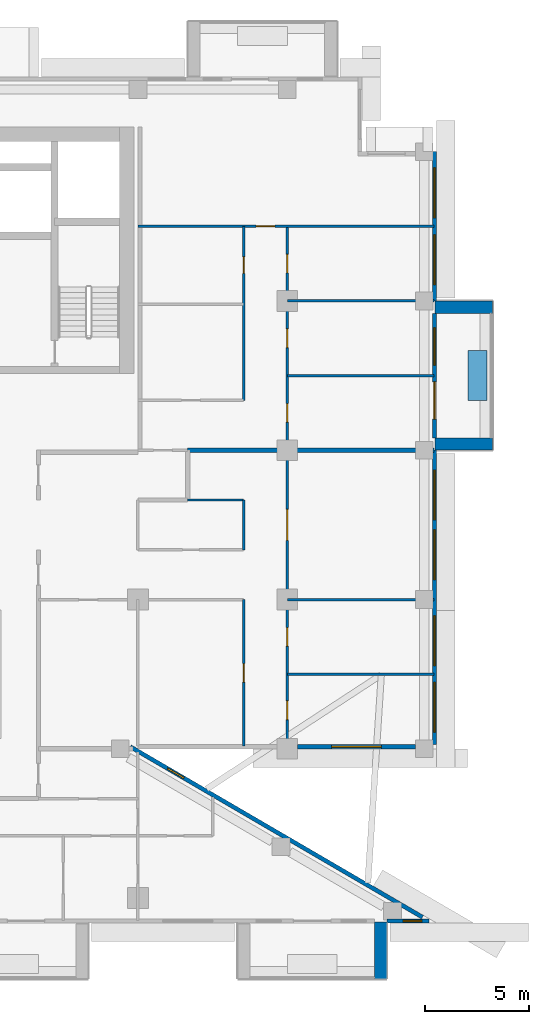
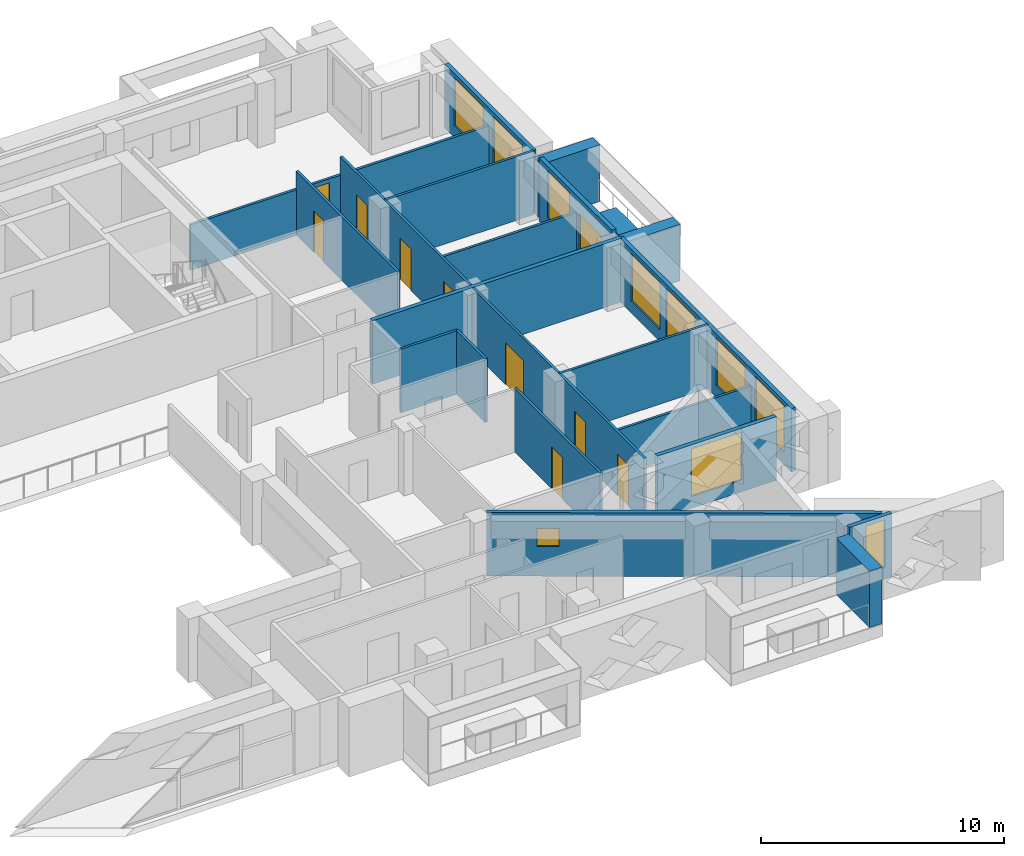
# One storey, part 12 of 20: 21 walls, 10 doors, 10 windows, 20 openings.
"""IFC4 building model written with IfcOpenShell, lengths in metres."""

from ifc_helpers import new_model, si_unit, direction, frame, frame_2d, origin, place, context, subcontext, project, spatial, rectangle, extrude, material, layer, layer_set, type_object, element, fill, save


model = new_model("IFC4")

# Units and contexts
model_context = context("Model", 3, precision=1e-05, world=origin(), true_north=direction((0.0, 1.0)))
body_context = subcontext(model_context, "Body", "Model", "MODEL_VIEW")
ifc_project = project(units=[si_unit("LENGTHUNIT", "METRE"), si_unit("AREAUNIT", "SQUARE_METRE"), si_unit("VOLUMEUNIT", "CUBIC_METRE"), si_unit("PLANEANGLEUNIT", "RADIAN"), si_unit("MASSUNIT", "GRAM", prefix="KILO")], contexts=[model_context])

# Site, building, storey
site_placement = place(None, origin())
site = spatial("IfcSite", under=ifc_project, at=site_placement, CompositionType="ELEMENT")
building_placement = place(site_placement, origin())
building = spatial("IfcBuilding", under=site, at=building_placement, Name="Saffron Iwan Residences", CompositionType="ELEMENT")
storey_placement = place(building_placement, frame((0.0, 0.0, 157.0)))
storey = spatial("IfcBuildingStorey", under=building, at=storey_placement, Name="L41", CompositionType="ELEMENT", Elevation=157.0)

# Walls
ifc_material_1 = material(Name="Concrete C50/60 white painted", Category="concrete")
ifc_layer_1 = layer(ifc_material_1, 0.60009765625)
ifc_layer_set_1 = layer_set([ifc_layer_1], Name="Concrete C50/60 white painted")
wall_type_1 = type_object("IfcWallType", Name="BALCONY FIN 600", PredefinedType="SOLIDWALL", material=ifc_layer_set_1)
for number, where, z_axis, x_axis, name in (
    (1, (86.324951171875, 62.699951171875, 0.0), (0.0, 0.0, 1.0), (1.0, 0.0, 0.0), "Balcony fin L41 F2-0a"),
    (2, (86.324951171875, 69.300048828125, 0.0), (0.0, 0.0, 1.0), (1.0, 0.0, 0.0), "Balcony fin L41 F2-0b"),
):
    element("IfcWall", number, at=place(storey_placement, frame(where, z_axis=z_axis, x_axis=x_axis)), inside=storey, type_object=wall_type_1, Name=name, PredefinedType="SOLIDWALL", context=body_context, shape_type="SweptSolid", body=[
        extrude(rectangle(XDim=2.775146484375, YDim=0.60009765625, at=frame_2d((1.3876953125, 0.0))), origin(), (0.0, 0.0, 1.0), 2.85009765625),
    ])
wall_1_placement = place(storey_placement, frame((83.699951171875, 39.649169921875, 0.0), z_axis=(0.0, 0.0, 1.0), x_axis=(0.0, -1.0, 0.0)))
element("IfcWall", 3, at=wall_1_placement, inside=storey, type_object=wall_type_1, Name="Balcony fin L41 11-3b", PredefinedType="SOLIDWALL", context=body_context, shape_type="SweptSolid", body=[
    extrude(rectangle(XDim=2.749267578125, YDim=0.60009765625, at=frame_2d((1.37451171875, 0.0))), origin(), (0.0, 0.0, 1.0), 2.85009765625),
])
ifc_material_2 = material(Name="Concrete C35/45 white painted", Category="concrete")
ifc_layer_2 = layer(ifc_material_2, 0.14990234375)
ifc_layer_set_2 = layer_set([ifc_layer_2], Name="Concrete C35/45 white painted")
wall_type_2 = type_object("IfcWallType", Name="BALCONY PLANTER", PredefinedType="SOLIDWALL", material=ifc_layer_set_2)
wall_2_placement = place(storey_placement, frame((88.375, 64.800048828125, 0.0), z_axis=(0.0, 0.0, 1.0), x_axis=(0.0, 1.0, 0.0)))
element("IfcWall", 4, at=wall_2_placement, inside=storey, type_object=wall_type_2, Name="PLANTER L41 F2-0", PredefinedType="SOLIDWALL", context=body_context, shape_type="SweptSolid", body=[
    extrude(rectangle(XDim=2.39990234375, YDim=0.89990234375, at=frame_2d((1.199951171875, 0.0))), origin(), (0.0, 0.0, 1.0), 0.89990234375),
])

# Wall, opening, window
ifc_material_3 = material(Name="Concrete C40/50", Category="concrete")
ifc_layer_3 = layer(ifc_material_3, 0.199951171875)
ifc_layer_set_3 = layer_set([ifc_layer_3], Name="Concrete C40/50")
wall_type_3 = type_object("IfcWallType", Name="EXTERNAL WALL 200", PredefinedType="SOLIDWALL", material=ifc_layer_set_3)
wall_3_placement = place(storey_placement, frame((85.71923828125, 39.88134765625, 0.0), z_axis=(0.0, 0.0, 1.0), x_axis=(-0.86377618652, 0.503875678716, 0.0)))
wall_3 = element("IfcWall", 5, at=wall_3_placement, inside=storey, type_object=wall_type_3, Name="External wall L41 F0.0", PredefinedType="SOLIDWALL", context=body_context, shape_type="SweptSolid", body=[
    extrude(rectangle(XDim=16.31103515625, YDim=0.199951171875, at=frame_2d((8.155517578125, 0.0))), origin(), (0.0, 0.0, 1.0), 3.199951171875),
])
opening_1_placement = place(wall_3_placement, frame((13.32568359375, 0.0, 1.5)))
opening_1 = element("IfcOpeningElement", 6, at=opening_1_placement, cuts=wall_3, Name="Opening W6", PredefinedType="OPENING", context=body_context, shape_type="SweptSolid", body=[
    extrude(rectangle(XDim=0.89990234375, YDim=0.89990234375, at=frame_2d((0.449951171875, 0.449951171875))), frame((0.0, 0.10986328125, 0.0), z_axis=(0.0, -1.0, 0.0), x_axis=(1.0, 0.0, 0.0)), (0.0, 0.0, 1.0), 0.219970703125),
])
ifc_material_4 = material(Name="Clear glass, laminated double glazed", Category="glass")
window_type_1 = type_object("IfcWindowType", Name="WINDOW 900 x 900 BATH", PartitioningType="SINGLE_PANEL", PredefinedType="WINDOW", material=ifc_material_4)
window_1_placement = place(opening_1_placement, origin())
window_1 = element("IfcWindow", 7, at=window_1_placement, inside=storey, type_object=window_type_1, Name="Window L41 F0.0", OverallHeight=0.89990234375, OverallWidth=0.89990234375, PartitioningType="SINGLE_PANEL", PredefinedType="WINDOW", context=body_context, shape_type="SweptSolid", body=[
    extrude(rectangle(XDim=0.89990234375, YDim=0.89990234375, at=frame_2d((0.449951171875, 0.449951171875))), frame((0.0, 0.030029296875, 0.0), z_axis=(0.0, -1.0, 0.0), x_axis=(1.0, 0.0, 0.0)), (0.0, 0.0, 1.0), 0.06005859375),
])
fill(opening_1, window_1)

wall_4_placement = place(storey_placement, frame((79.699951171875, 48.10009765625, 0.0), z_axis=(0.0, 0.0, 1.0), x_axis=(1.0, 0.0, 0.0)))
wall_4 = element("IfcWall", 8, at=wall_4_placement, inside=storey, type_object=wall_type_3, Name="External wall L41 F1.1", PredefinedType="SOLIDWALL", context=body_context, shape_type="SweptSolid", body=[
    extrude(rectangle(XDim=5.675048828125, YDim=0.199951171875, at=frame_2d((2.83740234375, 0.0))), origin(), (0.0, 0.0, 1.0), 3.199951171875),
])
opening_2_placement = place(wall_4_placement, frame((1.637451171875, 0.0, 0.60009765625)))
opening_2 = element("IfcOpeningElement", 9, at=opening_2_placement, cuts=wall_4, Name="Opening W1", PredefinedType="OPENING", context=body_context, shape_type="SweptSolid", body=[
    extrude(rectangle(XDim=2.39990234375, YDim=2.39990234375, at=frame_2d((1.199951171875, 1.199951171875))), frame((0.0, 0.10986328125, 0.0), z_axis=(0.0, -1.0, 0.0), x_axis=(1.0, 0.0, 0.0)), (0.0, 0.0, 1.0), 0.219970703125),
])
window_type_2 = type_object("IfcWindowType", Name="WINDOW 2400 x 2400", PartitioningType="DOUBLE_PANEL_VERTICAL", PredefinedType="WINDOW", material=ifc_material_4)
window_2_placement = place(opening_2_placement, origin())
window_2 = element("IfcWindow", 10, at=window_2_placement, inside=storey, type_object=window_type_2, Name="Window L41 F1.0", OverallHeight=2.39990234375, OverallWidth=2.39990234375, PartitioningType="DOUBLE_PANEL_VERTICAL", PredefinedType="WINDOW", context=body_context, shape_type="SweptSolid", body=[
    extrude(rectangle(XDim=2.39990234375, YDim=2.39990234375, at=frame_2d((1.199951171875, 1.199951171875))), frame((0.0, 0.030029296875, 0.0), z_axis=(0.0, -1.0, 0.0), x_axis=(1.0, 0.0, 0.0)), (0.0, 0.0, 1.0), 0.06005859375),
])
fill(opening_2, window_2)

# Wall, openings, windows
wall_5_placement = place(storey_placement, frame((86.300048828125, 48.199951171875, 0.0), z_axis=(0.0, 0.0, 1.0), x_axis=(0.0, 1.0, 0.0)))
wall_5 = element("IfcWall", 11, at=wall_5_placement, inside=storey, type_object=wall_type_3, Name="External wall L41 F2.0", PredefinedType="SOLIDWALL", context=body_context, shape_type="SweptSolid", body=[
    extrude(rectangle(XDim=14.199951171875, YDim=0.199951171875, at=frame_2d((7.10009765625, 0.0))), origin(), (0.0, 0.0, 1.0), 3.199951171875),
])
opening_3_placement = place(wall_5_placement, frame((0.60009765625, 0.0, 0.60009765625)))
opening_3 = element("IfcOpeningElement", 12, at=opening_3_placement, cuts=wall_5, Name="Opening W1", PredefinedType="OPENING", context=body_context, shape_type="SweptSolid", body=[
    extrude(rectangle(XDim=2.39990234375, YDim=2.39990234375, at=frame_2d((1.199951171875, 1.199951171875))), frame((0.0, 0.10986328125, 0.0), z_axis=(0.0, -1.0, 0.0), x_axis=(1.0, 0.0, 0.0)), (0.0, 0.0, 1.0), 0.219970703125),
])
opening_4_placement = place(wall_5_placement, frame((3.8125, 0.0, 0.60009765625)))
opening_4 = element("IfcOpeningElement", 13, at=opening_4_placement, cuts=wall_5, Name="Opening W1", PredefinedType="OPENING", context=body_context, shape_type="SweptSolid", body=[
    extrude(rectangle(XDim=2.39990234375, YDim=2.39990234375, at=frame_2d((1.199951171875, 1.199951171875))), frame((0.0, 0.10986328125, 0.0), z_axis=(0.0, -1.0, 0.0), x_axis=(1.0, 0.0, 0.0)), (0.0, 0.0, 1.0), 0.219970703125),
])
opening_5_placement = place(wall_5_placement, frame((7.958251953125, 0.0, 0.60009765625)))
opening_5 = element("IfcOpeningElement", 14, at=opening_5_placement, cuts=wall_5, Name="Opening W1", PredefinedType="OPENING", context=body_context, shape_type="SweptSolid", body=[
    extrude(rectangle(XDim=2.39990234375, YDim=2.39990234375, at=frame_2d((1.199951171875, 1.199951171875))), frame((0.0, 0.10986328125, 0.0), z_axis=(0.0, -1.0, 0.0), x_axis=(1.0, 0.0, 0.0)), (0.0, 0.0, 1.0), 0.219970703125),
])
opening_6_placement = place(wall_5_placement, frame((10.841796875, 0.0, 0.60009765625)))
opening_6 = element("IfcOpeningElement", 15, at=opening_6_placement, cuts=wall_5, Name="Opening W1", PredefinedType="OPENING", context=body_context, shape_type="SweptSolid", body=[
    extrude(rectangle(XDim=2.39990234375, YDim=2.39990234375, at=frame_2d((1.199951171875, 1.199951171875))), frame((0.0, 0.10986328125, 0.0), z_axis=(0.0, -1.0, 0.0), x_axis=(1.0, 0.0, 0.0)), (0.0, 0.0, 1.0), 0.219970703125),
])
window_3_placement = place(opening_3_placement, origin())
window_3 = element("IfcWindow", 16, at=window_3_placement, inside=storey, type_object=window_type_2, Name="Window L41 F2.0", OverallHeight=2.39990234375, OverallWidth=2.39990234375, PartitioningType="DOUBLE_PANEL_VERTICAL", PredefinedType="WINDOW", context=body_context, shape_type="SweptSolid", body=[
    extrude(rectangle(XDim=2.39990234375, YDim=2.39990234375, at=frame_2d((1.199951171875, 1.199951171875))), frame((0.0, 0.030029296875, 0.0), z_axis=(0.0, -1.0, 0.0), x_axis=(1.0, 0.0, 0.0)), (0.0, 0.0, 1.0), 0.06005859375),
])
fill(opening_3, window_3)
window_4_placement = place(opening_4_placement, origin())
window_4 = element("IfcWindow", 17, at=window_4_placement, inside=storey, type_object=window_type_2, Name="Window L41 F2.1", OverallHeight=2.39990234375, OverallWidth=2.39990234375, PartitioningType="DOUBLE_PANEL_VERTICAL", PredefinedType="WINDOW", context=body_context, shape_type="SweptSolid", body=[
    extrude(rectangle(XDim=2.39990234375, YDim=2.39990234375, at=frame_2d((1.199951171875, 1.199951171875))), frame((0.0, 0.030029296875, 0.0), z_axis=(0.0, -1.0, 0.0), x_axis=(1.0, 0.0, 0.0)), (0.0, 0.0, 1.0), 0.06005859375),
])
fill(opening_4, window_4)
window_5_placement = place(opening_5_placement, origin())
window_5 = element("IfcWindow", 18, at=window_5_placement, inside=storey, type_object=window_type_2, Name="Window L41 F2.2", OverallHeight=2.39990234375, OverallWidth=2.39990234375, PartitioningType="DOUBLE_PANEL_VERTICAL", PredefinedType="WINDOW", context=body_context, shape_type="SweptSolid", body=[
    extrude(rectangle(XDim=2.39990234375, YDim=2.39990234375, at=frame_2d((1.199951171875, 1.199951171875))), frame((0.0, 0.030029296875, 0.0), z_axis=(0.0, -1.0, 0.0), x_axis=(1.0, 0.0, 0.0)), (0.0, 0.0, 1.0), 0.06005859375),
])
fill(opening_5, window_5)
window_6_placement = place(opening_6_placement, origin())
window_6 = element("IfcWindow", 19, at=window_6_placement, inside=storey, type_object=window_type_2, Name="Window L41 F2.3", OverallHeight=2.39990234375, OverallWidth=2.39990234375, PartitioningType="DOUBLE_PANEL_VERTICAL", PredefinedType="WINDOW", context=body_context, shape_type="SweptSolid", body=[
    extrude(rectangle(XDim=2.39990234375, YDim=2.39990234375, at=frame_2d((1.199951171875, 1.199951171875))), frame((0.0, 0.030029296875, 0.0), z_axis=(0.0, -1.0, 0.0), x_axis=(1.0, 0.0, 0.0)), (0.0, 0.0, 1.0), 0.06005859375),
])
fill(opening_6, window_6)

# Wall, openings, door, window
wall_6_placement = place(storey_placement, frame((86.300048828125, 63.0, 0.0), z_axis=(0.0, 0.0, 1.0), x_axis=(0.0, 1.0, 0.0)))
wall_6 = element("IfcWall", 20, at=wall_6_placement, inside=storey, type_object=wall_type_3, Name="External wall L41 F2.1", PredefinedType="SOLIDWALL", context=body_context, shape_type="SweptSolid", body=[
    extrude(rectangle(XDim=6.0, YDim=0.199951171875, at=frame_2d((3.0, 0.0))), origin(), (0.0, 0.0, 1.0), 3.199951171875),
])
opening_7_placement = place(wall_6_placement, frame((0.89990234375, 0.0, 0.0)))
opening_7 = element("IfcOpeningElement", 21, at=opening_7_placement, cuts=wall_6, Name="Opening BD1", PredefinedType="OPENING", context=body_context, shape_type="SweptSolid", body=[
    extrude(rectangle(XDim=1.800048828125, YDim=2.39990234375, at=frame_2d((0.89990234375, 1.199951171875))), frame((0.0, 0.10986328125, 0.0), z_axis=(0.0, -1.0, 0.0), x_axis=(1.0, 0.0, 0.0)), (0.0, 0.0, 1.0), 0.219970703125),
])
opening_8_placement = place(wall_6_placement, frame((3.5, 0.0, 0.60009765625)))
opening_8 = element("IfcOpeningElement", 22, at=opening_8_placement, cuts=wall_6, Name="Opening W8", PredefinedType="OPENING", context=body_context, shape_type="SweptSolid", body=[
    extrude(rectangle(XDim=1.800048828125, YDim=2.39990234375, at=frame_2d((0.89990234375, 1.199951171875))), frame((0.0, 0.10986328125, 0.0), z_axis=(0.0, -1.0, 0.0), x_axis=(1.0, 0.0, 0.0)), (0.0, 0.0, 1.0), 0.219970703125),
])
door_type_1 = type_object("IfcDoorType", Name="BALCONY DOOR 1800 x 2400", OperationType="DOUBLE_DOOR_SLIDING", PredefinedType="DOOR", material=ifc_material_4)
door_1_placement = place(opening_7_placement, origin())
door_1 = element("IfcDoor", 23, at=door_1_placement, inside=storey, type_object=door_type_1, Name="Balcony door L41 F2.0", OperationType="DOUBLE_DOOR_SLIDING", OverallHeight=2.39990234375, OverallWidth=1.800048828125, PredefinedType="DOOR", context=body_context, shape_type="SweptSolid", body=[
    extrude(rectangle(XDim=1.800048828125, YDim=2.39990234375, at=frame_2d((0.89990234375, 1.199951171875))), frame((0.0, 0.02490234375, 0.0), z_axis=(0.0, -1.0, 0.0), x_axis=(1.0, 0.0, 0.0)), (0.0, 0.0, 1.0), 0.050048828125),
])
fill(opening_7, door_1)
window_type_3 = type_object("IfcWindowType", Name="WINDOW 1800 x 2400", PartitioningType="DOUBLE_PANEL_VERTICAL", PredefinedType="WINDOW", material=ifc_material_4)
window_7_placement = place(opening_8_placement, origin())
window_7 = element("IfcWindow", 24, at=window_7_placement, inside=storey, type_object=window_type_3, Name="Window L41 F2.1", OverallHeight=2.39990234375, OverallWidth=1.800048828125, PartitioningType="DOUBLE_PANEL_VERTICAL", PredefinedType="WINDOW", context=body_context, shape_type="SweptSolid", body=[
    extrude(rectangle(XDim=1.800048828125, YDim=2.39990234375, at=frame_2d((0.89990234375, 1.199951171875))), frame((0.0, 0.030029296875, 0.0), z_axis=(0.0, -1.0, 0.0), x_axis=(1.0, 0.0, 0.0)), (0.0, 0.0, 1.0), 0.06005859375),
])
fill(opening_8, window_7)

# Wall, openings, windows
wall_7_placement = place(storey_placement, frame((86.300048828125, 69.60009765625, 0.0), z_axis=(0.0, 0.0, 1.0), x_axis=(0.0, 1.0, 0.0)))
wall_7 = element("IfcWall", 25, at=wall_7_placement, inside=storey, type_object=wall_type_3, Name="External wall L41 F2.2", PredefinedType="SOLIDWALL", context=body_context, shape_type="SweptSolid", body=[
    extrude(rectangle(XDim=7.199951171875, YDim=0.199951171875, at=frame_2d((3.60009765625, 0.0))), origin(), (0.0, 0.0, 1.0), 3.199951171875),
])
opening_9_placement = place(wall_7_placement, frame((0.78759765625, 0.0, 0.60009765625)))
opening_9 = element("IfcOpeningElement", 26, at=opening_9_placement, cuts=wall_7, Name="Opening W1", PredefinedType="OPENING", context=body_context, shape_type="SweptSolid", body=[
    extrude(rectangle(XDim=2.39990234375, YDim=2.39990234375, at=frame_2d((1.199951171875, 1.199951171875))), frame((0.0, 0.10986328125, 0.0), z_axis=(0.0, -1.0, 0.0), x_axis=(1.0, 0.0, 0.0)), (0.0, 0.0, 1.0), 0.219970703125),
])
opening_10_placement = place(wall_7_placement, frame((4.012451171875, 0.0, 0.60009765625)))
opening_10 = element("IfcOpeningElement", 27, at=opening_10_placement, cuts=wall_7, Name="Opening W1", PredefinedType="OPENING", context=body_context, shape_type="SweptSolid", body=[
    extrude(rectangle(XDim=2.39990234375, YDim=2.39990234375, at=frame_2d((1.199951171875, 1.199951171875))), frame((0.0, 0.10986328125, 0.0), z_axis=(0.0, -1.0, 0.0), x_axis=(1.0, 0.0, 0.0)), (0.0, 0.0, 1.0), 0.219970703125),
])
window_8_placement = place(opening_9_placement, origin())
window_8 = element("IfcWindow", 28, at=window_8_placement, inside=storey, type_object=window_type_2, Name="Window L41 F2.0", OverallHeight=2.39990234375, OverallWidth=2.39990234375, PartitioningType="DOUBLE_PANEL_VERTICAL", PredefinedType="WINDOW", context=body_context, shape_type="SweptSolid", body=[
    extrude(rectangle(XDim=2.39990234375, YDim=2.39990234375, at=frame_2d((1.199951171875, 1.199951171875))), frame((0.0, 0.030029296875, 0.0), z_axis=(0.0, -1.0, 0.0), x_axis=(1.0, 0.0, 0.0)), (0.0, 0.0, 1.0), 0.06005859375),
])
fill(opening_9, window_8)
window_9_placement = place(opening_10_placement, origin())
window_9 = element("IfcWindow", 29, at=window_9_placement, inside=storey, type_object=window_type_2, Name="Window L41 F2.1", OverallHeight=2.39990234375, OverallWidth=2.39990234375, PartitioningType="DOUBLE_PANEL_VERTICAL", PredefinedType="WINDOW", context=body_context, shape_type="SweptSolid", body=[
    extrude(rectangle(XDim=2.39990234375, YDim=2.39990234375, at=frame_2d((1.199951171875, 1.199951171875))), frame((0.0, 0.030029296875, 0.0), z_axis=(0.0, -1.0, 0.0), x_axis=(1.0, 0.0, 0.0)), (0.0, 0.0, 1.0), 0.06005859375),
])
fill(opening_10, window_9)

# Wall, opening, window
wall_8_placement = place(storey_placement, frame((84.0, 39.699951171875, 0.0), z_axis=(0.0, 0.0, 1.0), x_axis=(1.0, 0.0, 0.0)))
wall_8 = element("IfcWall", 30, at=wall_8_placement, inside=storey, type_object=wall_type_3, Name="External wall L41 F11.2", PredefinedType="SOLIDWALL", context=body_context, shape_type="SweptSolid", body=[
    extrude(rectangle(XDim=2.030029296875, YDim=0.199951171875, at=frame_2d((1.01513671875, 0.0))), origin(), (0.0, 0.0, 1.0), 3.199951171875),
])
opening_11_placement = place(wall_8_placement, frame((0.79052734375, 0.0, 0.60009765625)))
opening_11 = element("IfcOpeningElement", 31, at=opening_11_placement, cuts=wall_8, Name="Opening W10", PredefinedType="OPENING", context=body_context, shape_type="SweptSolid", body=[
    extrude(rectangle(XDim=0.89990234375, YDim=2.39990234375, at=frame_2d((0.449951171875, 1.199951171875))), frame((0.0, 0.10986328125, 0.0), z_axis=(0.0, -1.0, 0.0), x_axis=(1.0, 0.0, 0.0)), (0.0, 0.0, 1.0), 0.219970703125),
])
window_type_4 = type_object("IfcWindowType", Name="WINDOW 900 x 2400", PartitioningType="SINGLE_PANEL", PredefinedType="WINDOW", material=ifc_material_4)
window_10_placement = place(opening_11_placement, origin())
window_10 = element("IfcWindow", 32, at=window_10_placement, inside=storey, type_object=window_type_4, Name="Window L41 F11.0", OverallHeight=2.39990234375, OverallWidth=0.89990234375, PartitioningType="SINGLE_PANEL", PredefinedType="WINDOW", context=body_context, shape_type="SweptSolid", body=[
    extrude(rectangle(XDim=0.89990234375, YDim=2.39990234375, at=frame_2d((0.449951171875, 1.199951171875))), frame((0.0, 0.030029296875, 0.0), z_axis=(0.0, -1.0, 0.0), x_axis=(1.0, 0.0, 0.0)), (0.0, 0.0, 1.0), 0.06005859375),
])
fill(opening_11, window_10)

# Walls
ifc_material_5 = material(Name="Fire-rated gypsum board wall")
ifc_layer_4 = layer(ifc_material_5, 0.199951171875)
ifc_layer_set_4 = layer_set([ifc_layer_4], Name="Fire-rated gypsum board wall")
wall_type_4 = type_object("IfcWallType", Name="Flat demising wall 200", PredefinedType="SOLIDWALL", material=ifc_layer_set_4)
wall_9_placement = place(storey_placement, frame((74.39990234375, 62.39990234375, 0.0), z_axis=(0.0, 0.0, 1.0), x_axis=(1.0, 0.0, 0.0)))
element("IfcWall", 33, at=wall_9_placement, inside=storey, type_object=wall_type_4, Name="W-L41-DEMISE-h62.4-74.4", PredefinedType="SOLIDWALL", context=body_context, shape_type="SweptSolid", body=[
    extrude(rectangle(XDim=11.875, YDim=0.199951171875, at=frame_2d((5.9375, 0.0))), origin(), (0.0, 0.0, 1.0), 3.199951171875),
])
ifc_material_6 = material(Name="Gypsum board partition")
ifc_layer_5 = layer(ifc_material_6, 0.1201171875)
ifc_layer_set_5 = layer_set([ifc_layer_5], Name="Gypsum board partition")
wall_type_5 = type_object("IfcWallType", Name="Flat partition 120", PredefinedType="PARTITIONING", material=ifc_layer_set_5)
wall_10_placement = place(storey_placement, frame((79.199951171875, 51.60009765625, 0.0), z_axis=(0.0, 0.0, 1.0), x_axis=(1.0, 0.0, 0.0)))
element("IfcWall", 34, at=wall_10_placement, inside=storey, type_object=wall_type_5, Name="W-L41-PART-h51.6-79.2", PredefinedType="PARTITIONING", context=body_context, shape_type="SweptSolid", body=[
    extrude(rectangle(XDim=7.074951171875, YDim=0.1201171875, at=frame_2d((3.53759765625, 0.0))), origin(), (0.0, 0.0, 1.0), 2.300048828125),
])
wall_11_placement = place(storey_placement, frame((79.199951171875, 55.199951171875, 0.0), z_axis=(0.0, 0.0, 1.0), x_axis=(1.0, 0.0, 0.0)))
element("IfcWall", 35, at=wall_11_placement, inside=storey, type_object=wall_type_5, Name="W-L41-PART-h55.2-79.2", PredefinedType="PARTITIONING", context=body_context, shape_type="SweptSolid", body=[
    extrude(rectangle(XDim=7.074951171875, YDim=0.1201171875, at=frame_2d((3.53759765625, 0.0))), origin(), (0.0, 0.0, 1.0), 3.199951171875),
])
wall_12_placement = place(storey_placement, frame((74.39990234375, 60.0, 0.0), z_axis=(0.0, 0.0, 1.0), x_axis=(1.0, 0.0, 0.0)))
element("IfcWall", 36, at=wall_12_placement, inside=storey, type_object=wall_type_5, Name="W-L41-PART-h60-74.4", PredefinedType="PARTITIONING", context=body_context, shape_type="SweptSolid", body=[
    extrude(rectangle(XDim=2.7001953125, YDim=0.1201171875, at=frame_2d((1.35009765625, 0.0))), origin(), (0.0, 0.0, 1.0), 3.199951171875),
])
wall_13_placement = place(storey_placement, frame((79.199951171875, 66.0, 0.0), z_axis=(0.0, 0.0, 1.0), x_axis=(1.0, 0.0, 0.0)))
element("IfcWall", 37, at=wall_13_placement, inside=storey, type_object=wall_type_5, Name="W-L41-PART-h66-79.2", PredefinedType="PARTITIONING", context=body_context, shape_type="SweptSolid", body=[
    extrude(rectangle(XDim=7.074951171875, YDim=0.1201171875, at=frame_2d((3.53759765625, 0.0))), origin(), (0.0, 0.0, 1.0), 2.300048828125),
])
wall_14_placement = place(storey_placement, frame((79.199951171875, 69.60009765625, 0.0), z_axis=(0.0, 0.0, 1.0), x_axis=(1.0, 0.0, 0.0)))
element("IfcWall", 38, at=wall_14_placement, inside=storey, type_object=wall_type_5, Name="W-L41-PART-h69.6-79.2", PredefinedType="PARTITIONING", context=body_context, shape_type="SweptSolid", body=[
    extrude(rectangle(XDim=7.074951171875, YDim=0.1201171875, at=frame_2d((3.53759765625, 0.0))), origin(), (0.0, 0.0, 1.0), 3.199951171875),
])

# Wall, opening, door
wall_15_placement = place(storey_placement, frame((72.0, 73.199951171875, 0.0), z_axis=(0.0, 0.0, 1.0), x_axis=(1.0, 0.0, 0.0)))
wall_15 = element("IfcWall", 39, at=wall_15_placement, inside=storey, type_object=wall_type_5, Name="W-L41-PART-h73.2-72", PredefinedType="PARTITIONING", context=body_context, shape_type="SweptSolid", body=[
    extrude(rectangle(XDim=14.27490234375, YDim=0.1201171875, at=frame_2d((7.137451171875, 0.0))), origin(), (0.0, 0.0, 1.0), 2.300048828125),
])
opening_12_placement = place(wall_15_placement, frame((5.699951171875, 0.0, 0.0)))
opening_12 = element("IfcOpeningElement", 40, at=opening_12_placement, cuts=wall_15, Name="Opening FD2", PredefinedType="OPENING", context=body_context, shape_type="SweptSolid", body=[
    extrude(rectangle(XDim=0.89990234375, YDim=2.10009765625, at=frame_2d((0.449951171875, 1.050048828125))), frame((0.0, 0.070068359375, 0.0), z_axis=(0.0, -1.0, 0.0), x_axis=(1.0, 0.0, 0.0)), (0.0, 0.0, 1.0), 0.14013671875),
])
ifc_material_7 = material(Name="Timber door", Category="wood")
door_type_2 = type_object("IfcDoorType", Name="Flat door 900", OperationType="NOTDEFINED", PredefinedType="DOOR", material=ifc_material_7)
door_2_placement = place(opening_12_placement, origin())
door_2 = element("IfcDoor", 41, at=door_2_placement, inside=storey, type_object=door_type_2, Name="Door L41-036", OperationType="SINGLE_SWING_LEFT", OverallHeight=2.10009765625, OverallWidth=0.89990234375, PredefinedType="DOOR", context=body_context, shape_type="SweptSolid", body=[
    extrude(rectangle(XDim=0.89990234375, YDim=2.10009765625, at=frame_2d((0.449951171875, 1.050048828125))), frame((0.0, 0.02490234375, 0.0), z_axis=(0.0, -1.0, 0.0), x_axis=(1.0, 0.0, 0.0)), (0.0, 0.0, 1.0), 0.050048828125),
])
fill(opening_12, door_2)

wall_16_placement = place(storey_placement, frame((77.10009765625, 48.125, 0.0), z_axis=(0.0, 0.0, 1.0), x_axis=(0.0, 1.0, 0.0)))
wall_16 = element("IfcWall", 42, at=wall_16_placement, inside=storey, type_object=wall_type_5, Name="W-L41-PART-v77.1-48.125", PredefinedType="PARTITIONING", context=body_context, shape_type="SweptSolid", body=[
    extrude(rectangle(XDim=7.074951171875, YDim=0.1201171875, at=frame_2d((3.53759765625, 0.0))), origin(), (0.0, 0.0, 1.0), 3.199951171875),
])
opening_13_placement = place(wall_16_placement, frame((3.08740234375, 0.0, 0.0)))
opening_13 = element("IfcOpeningElement", 43, at=opening_13_placement, cuts=wall_16, Name="Opening FD2", PredefinedType="OPENING", context=body_context, shape_type="SweptSolid", body=[
    extrude(rectangle(XDim=0.89990234375, YDim=2.10009765625, at=frame_2d((0.449951171875, 1.050048828125))), frame((0.0, 0.070068359375, 0.0), z_axis=(0.0, -1.0, 0.0), x_axis=(1.0, 0.0, 0.0)), (0.0, 0.0, 1.0), 0.14013671875),
])
door_3_placement = place(opening_13_placement, origin())
door_3 = element("IfcDoor", 44, at=door_3_placement, inside=storey, type_object=door_type_2, Name="Door L41-018", OperationType="SINGLE_SWING_LEFT", OverallHeight=2.10009765625, OverallWidth=0.89990234375, PredefinedType="DOOR", context=body_context, shape_type="SweptSolid", body=[
    extrude(rectangle(XDim=0.89990234375, YDim=2.10009765625, at=frame_2d((0.449951171875, 1.050048828125))), frame((0.0, 0.02490234375, 0.0), z_axis=(0.0, -1.0, 0.0), x_axis=(1.0, 0.0, 0.0)), (0.0, 0.0, 1.0), 0.050048828125),
])
fill(opening_13, door_3)

# Wall
wall_17_placement = place(storey_placement, frame((77.10009765625, 57.60009765625, 0.0), z_axis=(0.0, 0.0, 1.0), x_axis=(0.0, 1.0, 0.0)))
element("IfcWall", 45, at=wall_17_placement, inside=storey, type_object=wall_type_5, Name="W-L41-PART-v77.1-57.6", PredefinedType="PARTITIONING", context=body_context, shape_type="SweptSolid", body=[
    extrude(rectangle(XDim=2.39990234375, YDim=0.1201171875, at=frame_2d((1.199951171875, 0.0))), origin(), (0.0, 0.0, 1.0), 3.199951171875),
])

# Wall, opening, door
wall_18_placement = place(storey_placement, frame((77.10009765625, 64.800048828125, 0.0), z_axis=(0.0, 0.0, 1.0), x_axis=(0.0, 1.0, 0.0)))
wall_18 = element("IfcWall", 46, at=wall_18_placement, inside=storey, type_object=wall_type_5, Name="W-L41-PART-v77.1-64.8", PredefinedType="PARTITIONING", context=body_context, shape_type="SweptSolid", body=[
    extrude(rectangle(XDim=8.39990234375, YDim=0.1201171875, at=frame_2d((4.199951171875, 0.0))), origin(), (0.0, 0.0, 1.0), 3.199951171875),
])
opening_14_placement = place(wall_18_placement, frame((6.125, 0.0, 0.0)))
opening_14 = element("IfcOpeningElement", 47, at=opening_14_placement, cuts=wall_18, Name="Opening FD3", PredefinedType="OPENING", context=body_context, shape_type="SweptSolid", body=[
    extrude(rectangle(XDim=0.800048828125, YDim=2.10009765625, at=frame_2d((0.39990234375, 1.050048828125))), frame((0.0, 0.070068359375, 0.0), z_axis=(0.0, -1.0, 0.0), x_axis=(1.0, 0.0, 0.0)), (0.0, 0.0, 1.0), 0.14013671875),
])
door_type_3 = type_object("IfcDoorType", Name="Bathroom door 800", OperationType="NOTDEFINED", PredefinedType="DOOR", material=ifc_material_7)
door_4_placement = place(opening_14_placement, origin())
door_4 = element("IfcDoor", 48, at=door_4_placement, inside=storey, type_object=door_type_3, Name="Door L41-038", OperationType="SINGLE_SWING_RIGHT", OverallHeight=2.10009765625, OverallWidth=0.800048828125, PredefinedType="DOOR", context=body_context, shape_type="SweptSolid", body=[
    extrude(rectangle(XDim=0.800048828125, YDim=2.10009765625, at=frame_2d((0.39990234375, 1.050048828125))), frame((0.0, 0.02490234375, 0.0), z_axis=(0.0, -1.0, 0.0), x_axis=(1.0, 0.0, 0.0)), (0.0, 0.0, 1.0), 0.050048828125),
])
fill(opening_14, door_4)

# Wall, openings, doors
wall_19_placement = place(storey_placement, frame((79.199951171875, 48.125, 0.0), z_axis=(0.0, 0.0, 1.0), x_axis=(0.0, 1.0, 0.0)))
wall_19 = element("IfcWall", 49, at=wall_19_placement, inside=storey, type_object=wall_type_5, Name="W-L41-PART-v79.2-48.125", PredefinedType="PARTITIONING", context=body_context, shape_type="SweptSolid", body=[
    extrude(rectangle(XDim=25.074951171875, YDim=0.1201171875, at=frame_2d((12.53759765625, 0.0))), origin(), (0.0, 0.0, 1.0), 3.199951171875),
])
opening_15_placement = place(wall_19_placement, frame((1.28759765625, 0.0, 0.0)))
opening_15 = element("IfcOpeningElement", 50, at=opening_15_placement, cuts=wall_19, Name="Opening FD2", PredefinedType="OPENING", context=body_context, shape_type="SweptSolid", body=[
    extrude(rectangle(XDim=0.89990234375, YDim=2.10009765625, at=frame_2d((0.449951171875, 1.050048828125))), frame((0.0, 0.070068359375, 0.0), z_axis=(0.0, -1.0, 0.0), x_axis=(1.0, 0.0, 0.0)), (0.0, 0.0, 1.0), 0.14013671875),
])
opening_16_placement = place(wall_19_placement, frame((4.824951171875, 0.0, 0.0)))
opening_16 = element("IfcOpeningElement", 51, at=opening_16_placement, cuts=wall_19, Name="Opening FD2", PredefinedType="OPENING", context=body_context, shape_type="SweptSolid", body=[
    extrude(rectangle(XDim=0.89990234375, YDim=2.10009765625, at=frame_2d((0.449951171875, 1.050048828125))), frame((0.0, 0.070068359375, 0.0), z_axis=(0.0, -1.0, 0.0), x_axis=(1.0, 0.0, 0.0)), (0.0, 0.0, 1.0), 0.14013671875),
])
opening_17_placement = place(wall_19_placement, frame((9.925048828125, 0.0, 0.0)))
opening_17 = element("IfcOpeningElement", 52, at=opening_17_placement, cuts=wall_19, Name="Opening FD4", PredefinedType="OPENING", context=body_context, shape_type="SweptSolid", body=[
    extrude(rectangle(XDim=1.5, YDim=2.10009765625, at=frame_2d((0.75, 1.050048828125))), frame((0.0, 0.070068359375, 0.0), z_axis=(0.0, -1.0, 0.0), x_axis=(1.0, 0.0, 0.0)), (0.0, 0.0, 1.0), 0.14013671875),
])
opening_18_placement = place(wall_19_placement, frame((15.625, 0.0, 0.0)))
opening_18 = element("IfcOpeningElement", 53, at=opening_18_placement, cuts=wall_19, Name="Opening FD2", PredefinedType="OPENING", context=body_context, shape_type="SweptSolid", body=[
    extrude(rectangle(XDim=0.89990234375, YDim=2.10009765625, at=frame_2d((0.449951171875, 1.050048828125))), frame((0.0, 0.070068359375, 0.0), z_axis=(0.0, -1.0, 0.0), x_axis=(1.0, 0.0, 0.0)), (0.0, 0.0, 1.0), 0.14013671875),
])
opening_19_placement = place(wall_19_placement, frame((19.22509765625, 0.0, 0.0)))
opening_19 = element("IfcOpeningElement", 54, at=opening_19_placement, cuts=wall_19, Name="Opening FD2", PredefinedType="OPENING", context=body_context, shape_type="SweptSolid", body=[
    extrude(rectangle(XDim=0.89990234375, YDim=2.10009765625, at=frame_2d((0.449951171875, 1.050048828125))), frame((0.0, 0.070068359375, 0.0), z_axis=(0.0, -1.0, 0.0), x_axis=(1.0, 0.0, 0.0)), (0.0, 0.0, 1.0), 0.14013671875),
])
opening_20_placement = place(wall_19_placement, frame((22.824951171875, 0.0, 0.0)))
opening_20 = element("IfcOpeningElement", 55, at=opening_20_placement, cuts=wall_19, Name="Opening FD2", PredefinedType="OPENING", context=body_context, shape_type="SweptSolid", body=[
    extrude(rectangle(XDim=0.89990234375, YDim=2.10009765625, at=frame_2d((0.449951171875, 1.050048828125))), frame((0.0, 0.070068359375, 0.0), z_axis=(0.0, -1.0, 0.0), x_axis=(1.0, 0.0, 0.0)), (0.0, 0.0, 1.0), 0.14013671875),
])
door_type_4 = type_object("IfcDoorType", Name="Double door 1500", OperationType="NOTDEFINED", PredefinedType="DOOR", material=ifc_material_7)
door_5_placement = place(opening_17_placement, origin())
door_5 = element("IfcDoor", 56, at=door_5_placement, inside=storey, type_object=door_type_4, Name="Door L41-017", OperationType="SINGLE_SWING_RIGHT", OverallHeight=2.10009765625, OverallWidth=1.5, PredefinedType="DOOR", context=body_context, shape_type="SweptSolid", body=[
    extrude(rectangle(XDim=1.5, YDim=2.10009765625, at=frame_2d((0.75, 1.050048828125))), frame((0.0, 0.02490234375, 0.0), z_axis=(0.0, -1.0, 0.0), x_axis=(1.0, 0.0, 0.0)), (0.0, 0.0, 1.0), 0.050048828125),
])
fill(opening_17, door_5)
door_6_placement = place(opening_15_placement, origin())
door_6 = element("IfcDoor", 57, at=door_6_placement, inside=storey, type_object=door_type_2, Name="Door L41-015", OperationType="SINGLE_SWING_LEFT", OverallHeight=2.10009765625, OverallWidth=0.89990234375, PredefinedType="DOOR", context=body_context, shape_type="SweptSolid", body=[
    extrude(rectangle(XDim=0.89990234375, YDim=2.10009765625, at=frame_2d((0.449951171875, 1.050048828125))), frame((0.0, 0.02490234375, 0.0), z_axis=(0.0, -1.0, 0.0), x_axis=(1.0, 0.0, 0.0)), (0.0, 0.0, 1.0), 0.050048828125),
])
fill(opening_15, door_6)
door_7_placement = place(opening_16_placement, origin())
door_7 = element("IfcDoor", 58, at=door_7_placement, inside=storey, type_object=door_type_2, Name="Door L41-016", OperationType="SINGLE_SWING_LEFT", OverallHeight=2.10009765625, OverallWidth=0.89990234375, PredefinedType="DOOR", context=body_context, shape_type="SweptSolid", body=[
    extrude(rectangle(XDim=0.89990234375, YDim=2.10009765625, at=frame_2d((0.449951171875, 1.050048828125))), frame((0.0, 0.02490234375, 0.0), z_axis=(0.0, -1.0, 0.0), x_axis=(1.0, 0.0, 0.0)), (0.0, 0.0, 1.0), 0.050048828125),
])
fill(opening_16, door_7)
door_8_placement = place(opening_18_placement, origin())
door_8 = element("IfcDoor", 59, at=door_8_placement, inside=storey, type_object=door_type_2, Name="Door L41-033", OperationType="SINGLE_SWING_LEFT", OverallHeight=2.10009765625, OverallWidth=0.89990234375, PredefinedType="DOOR", context=body_context, shape_type="SweptSolid", body=[
    extrude(rectangle(XDim=0.89990234375, YDim=2.10009765625, at=frame_2d((0.449951171875, 1.050048828125))), frame((0.0, 0.02490234375, 0.0), z_axis=(0.0, -1.0, 0.0), x_axis=(1.0, 0.0, 0.0)), (0.0, 0.0, 1.0), 0.050048828125),
])
fill(opening_18, door_8)
door_9_placement = place(opening_19_placement, origin())
door_9 = element("IfcDoor", 60, at=door_9_placement, inside=storey, type_object=door_type_2, Name="Door L41-034", OperationType="SINGLE_SWING_LEFT", OverallHeight=2.10009765625, OverallWidth=0.89990234375, PredefinedType="DOOR", context=body_context, shape_type="SweptSolid", body=[
    extrude(rectangle(XDim=0.89990234375, YDim=2.10009765625, at=frame_2d((0.449951171875, 1.050048828125))), frame((0.0, 0.02490234375, 0.0), z_axis=(0.0, -1.0, 0.0), x_axis=(1.0, 0.0, 0.0)), (0.0, 0.0, 1.0), 0.050048828125),
])
fill(opening_19, door_9)
door_10_placement = place(opening_20_placement, origin())
door_10 = element("IfcDoor", 61, at=door_10_placement, inside=storey, type_object=door_type_2, Name="Door L41-035", OperationType="SINGLE_SWING_RIGHT", OverallHeight=2.10009765625, OverallWidth=0.89990234375, PredefinedType="DOOR", context=body_context, shape_type="SweptSolid", body=[
    extrude(rectangle(XDim=0.89990234375, YDim=2.10009765625, at=frame_2d((0.449951171875, 1.050048828125))), frame((0.0, 0.02490234375, 0.0), z_axis=(0.0, -1.0, 0.0), x_axis=(1.0, 0.0, 0.0)), (0.0, 0.0, 1.0), 0.050048828125),
])
fill(opening_20, door_10)

save(model, "model.ifc")
